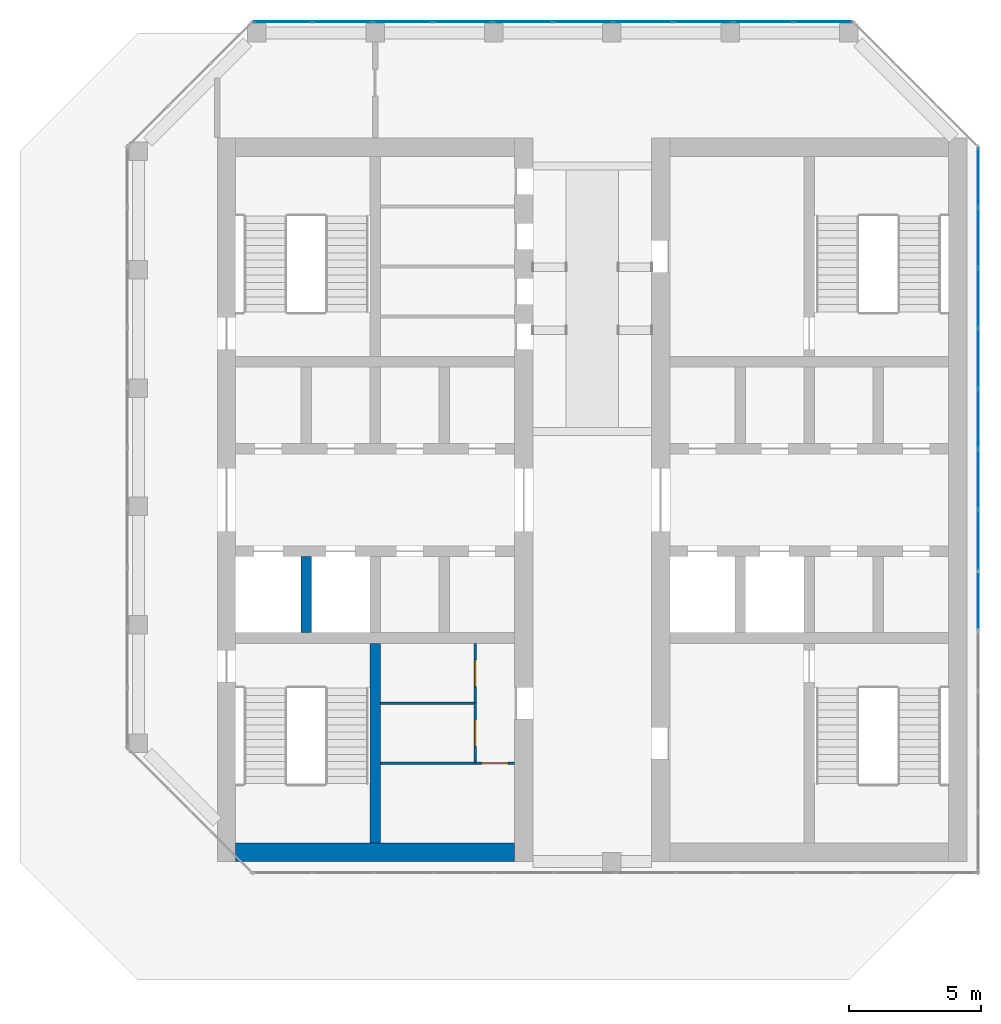
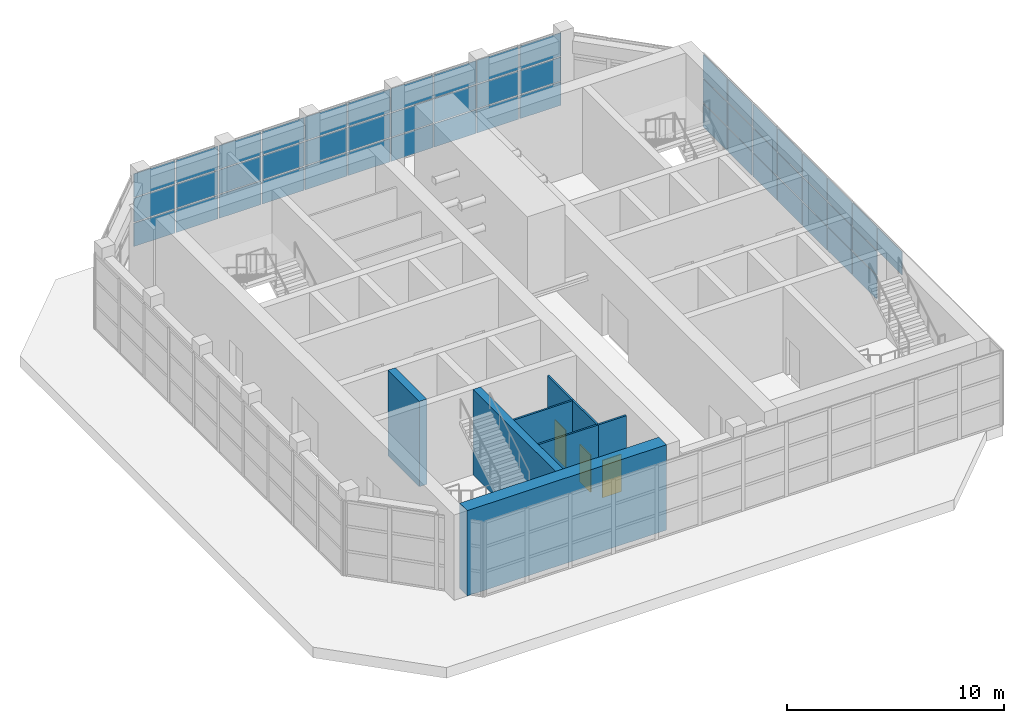
# One storey, part 9 of 13: 52 plates, 8 walls, 3 doors, 3 openings, 2 elements without a shape of their own.
"""IFC4 building model written with IfcOpenShell, lengths in metres."""

from ifc_helpers import new_model, si_unit, direction, frame, frame_2d, origin, origin_2d, place, context, subcontext, project, spatial, rectangle, extrude, material, layer, layer_set, type_object, element, fill, aggregate, save


model = new_model("IFC4")

# Units and contexts
model_context = context("Model", 3, precision=1e-05, world=origin(), true_north=direction((0.0, 1.0)))
body_context = subcontext(model_context, "Body", "Model", "MODEL_VIEW")
ifc_project = project(units=[si_unit("LENGTHUNIT", "METRE"), si_unit("AREAUNIT", "SQUARE_METRE"), si_unit("VOLUMEUNIT", "CUBIC_METRE"), si_unit("PLANEANGLEUNIT", "RADIAN"), si_unit("MASSUNIT", "GRAM", prefix="KILO")], contexts=[model_context])

# Site, building, storey
site_placement = place(None, origin())
site = spatial("IfcSite", under=ifc_project, at=site_placement, CompositionType="ELEMENT")
building_placement = place(site_placement, origin())
building = spatial("IfcBuilding", under=site, at=building_placement, Name="Corbel Stack Research Tower", CompositionType="ELEMENT")
storey_placement = place(building_placement, frame((0.0, 0.0, 311.800048828125)))
storey = spatial("IfcBuildingStorey", under=building, at=storey_placement, Name="L70", CompositionType="ELEMENT", Elevation=311.800048828125)

# Curtain wall, plates
ifc_material_1 = material(Name="Aluminium and glass", Category="aluminium")
curtain_wall_type = type_object("IfcCurtainWallType", Name="CW4C damper hall glazing wall, corner", PredefinedType="NOTDEFINED", material=ifc_material_1)
curtain_wall_1_placement = place(storey_placement, origin())
curtain_wall_1 = element("IfcCurtainWall", 1, at=curtain_wall_1_placement, inside=storey, type_object=curtain_wall_type, Name="Damper hall curtain wall L70 4", PredefinedType="NOTDEFINED")
ifc_material_2 = material(Name="Glass, laminated amber tint", Category="glass")
ifc_layer_1 = layer(ifc_material_2, 0.031982421875)
ifc_layer_set_1 = layer_set([ifc_layer_1], Name="Glass, laminated amber tint")
plate_type = type_object("IfcPlateType", Name="CW4 amber laminated glass panel 32", PredefinedType="CURTAIN_PANEL", material=ifc_layer_set_1)
plate_1_placement = place(storey_placement, frame((-8.0166015625, 22.919921875, 0.059814453125), z_axis=(0.0, 0.0, 1.0), x_axis=(1.0, 0.0, 0.0)))
plate_1 = element("IfcPlate", 2, at=plate_1_placement, type_object=plate_type, Name="CW4C panel 1.1", PredefinedType="CURTAIN_PANEL", context=body_context, shape_type="SweptSolid", body=[
    extrude(rectangle(XDim=2.19482421875, YDim=0.031982421875, at=origin_2d()), origin(), (0.0, 0.0, 1.0), 1.31005859375),
])
plate_2_placement = place(storey_placement, frame((-8.0166015625, 22.919921875, 1.4296875), z_axis=(0.0, 0.0, 1.0), x_axis=(1.0, 0.0, 0.0)))
plate_2 = element("IfcPlate", 3, at=plate_2_placement, type_object=plate_type, Name="CW4C panel 1.2", PredefinedType="CURTAIN_PANEL", context=body_context, shape_type="SweptSolid", body=[
    extrude(rectangle(XDim=2.19482421875, YDim=0.031982421875, at=origin_2d()), origin(), (0.0, 0.0, 1.0), 1.340087890625),
])
plate_3_placement = place(storey_placement, frame((-8.0166015625, 22.919921875, 2.829833984375), z_axis=(0.0, 0.0, 1.0), x_axis=(1.0, 0.0, 0.0)))
plate_3 = element("IfcPlate", 4, at=plate_3_placement, type_object=plate_type, Name="CW4C panel 1.3", PredefinedType="CURTAIN_PANEL", context=body_context, shape_type="SweptSolid", body=[
    extrude(rectangle(XDim=2.19482421875, YDim=0.031982421875, at=origin_2d()), origin(), (0.0, 0.0, 1.0), 1.31005859375),
])
plate_4_placement = place(storey_placement, frame((-5.746826171875, 22.919921875, 0.059814453125), z_axis=(0.0, 0.0, 1.0), x_axis=(1.0, 0.0, 0.0)))
plate_4 = element("IfcPlate", 5, at=plate_4_placement, type_object=plate_type, Name="CW4C panel 2.1", PredefinedType="CURTAIN_PANEL", context=body_context, shape_type="SweptSolid", body=[
    extrude(rectangle(XDim=2.224853515625, YDim=0.031982421875, at=origin_2d()), origin(), (0.0, 0.0, 1.0), 1.31005859375),
])
plate_5_placement = place(storey_placement, frame((-5.746826171875, 22.919921875, 1.4296875), z_axis=(0.0, 0.0, 1.0), x_axis=(1.0, 0.0, 0.0)))
plate_5 = element("IfcPlate", 6, at=plate_5_placement, type_object=plate_type, Name="CW4C panel 2.2", PredefinedType="CURTAIN_PANEL", context=body_context, shape_type="SweptSolid", body=[
    extrude(rectangle(XDim=2.224853515625, YDim=0.031982421875, at=origin_2d()), origin(), (0.0, 0.0, 1.0), 1.340087890625),
])
plate_6_placement = place(storey_placement, frame((-5.746826171875, 22.919921875, 2.829833984375), z_axis=(0.0, 0.0, 1.0), x_axis=(1.0, 0.0, 0.0)))
plate_6 = element("IfcPlate", 7, at=plate_6_placement, type_object=plate_type, Name="CW4C panel 2.3", PredefinedType="CURTAIN_PANEL", context=body_context, shape_type="SweptSolid", body=[
    extrude(rectangle(XDim=2.224853515625, YDim=0.031982421875, at=origin_2d()), origin(), (0.0, 0.0, 1.0), 1.31005859375),
])
plate_7_placement = place(storey_placement, frame((-3.4619140625, 22.919921875, 0.059814453125), z_axis=(0.0, 0.0, 1.0), x_axis=(1.0, 0.0, 0.0)))
plate_7 = element("IfcPlate", 8, at=plate_7_placement, type_object=plate_type, Name="CW4C panel 3.1", PredefinedType="CURTAIN_PANEL", context=body_context, shape_type="SweptSolid", body=[
    extrude(rectangle(XDim=2.224853515625, YDim=0.031982421875, at=origin_2d()), origin(), (0.0, 0.0, 1.0), 1.31005859375),
])
plate_8_placement = place(storey_placement, frame((-3.4619140625, 22.919921875, 1.4296875), z_axis=(0.0, 0.0, 1.0), x_axis=(1.0, 0.0, 0.0)))
plate_8 = element("IfcPlate", 9, at=plate_8_placement, type_object=plate_type, Name="CW4C panel 3.2", PredefinedType="CURTAIN_PANEL", context=body_context, shape_type="SweptSolid", body=[
    extrude(rectangle(XDim=2.224853515625, YDim=0.031982421875, at=origin_2d()), origin(), (0.0, 0.0, 1.0), 1.340087890625),
])
plate_9_placement = place(storey_placement, frame((-3.4619140625, 22.919921875, 2.829833984375), z_axis=(0.0, 0.0, 1.0), x_axis=(1.0, 0.0, 0.0)))
plate_9 = element("IfcPlate", 10, at=plate_9_placement, type_object=plate_type, Name="CW4C panel 3.3", PredefinedType="CURTAIN_PANEL", context=body_context, shape_type="SweptSolid", body=[
    extrude(rectangle(XDim=2.224853515625, YDim=0.031982421875, at=origin_2d()), origin(), (0.0, 0.0, 1.0), 1.31005859375),
])
plate_10_placement = place(storey_placement, frame((-1.17724609375, 22.919921875, 0.059814453125), z_axis=(0.0, 0.0, 1.0), x_axis=(1.0, 0.0, 0.0)))
plate_10 = element("IfcPlate", 11, at=plate_10_placement, type_object=plate_type, Name="CW4C panel 4.1", PredefinedType="CURTAIN_PANEL", context=body_context, shape_type="SweptSolid", body=[
    extrude(rectangle(XDim=2.224853515625, YDim=0.031982421875, at=origin_2d()), origin(), (0.0, 0.0, 1.0), 1.31005859375),
])
plate_11_placement = place(storey_placement, frame((-1.17724609375, 22.919921875, 1.4296875), z_axis=(0.0, 0.0, 1.0), x_axis=(1.0, 0.0, 0.0)))
plate_11 = element("IfcPlate", 12, at=plate_11_placement, type_object=plate_type, Name="CW4C panel 4.2", PredefinedType="CURTAIN_PANEL", context=body_context, shape_type="SweptSolid", body=[
    extrude(rectangle(XDim=2.224853515625, YDim=0.031982421875, at=origin_2d()), origin(), (0.0, 0.0, 1.0), 1.340087890625),
])
plate_12_placement = place(storey_placement, frame((-1.17724609375, 22.919921875, 2.829833984375), z_axis=(0.0, 0.0, 1.0), x_axis=(1.0, 0.0, 0.0)))
plate_12 = element("IfcPlate", 13, at=plate_12_placement, type_object=plate_type, Name="CW4C panel 4.3", PredefinedType="CURTAIN_PANEL", context=body_context, shape_type="SweptSolid", body=[
    extrude(rectangle(XDim=2.224853515625, YDim=0.031982421875, at=origin_2d()), origin(), (0.0, 0.0, 1.0), 1.31005859375),
])
plate_13_placement = place(storey_placement, frame((1.107666015625, 22.919921875, 0.059814453125), z_axis=(0.0, 0.0, 1.0), x_axis=(1.0, 0.0, 0.0)))
plate_13 = element("IfcPlate", 14, at=plate_13_placement, type_object=plate_type, Name="CW4C panel 5.1", PredefinedType="CURTAIN_PANEL", context=body_context, shape_type="SweptSolid", body=[
    extrude(rectangle(XDim=2.224853515625, YDim=0.031982421875, at=origin_2d()), origin(), (0.0, 0.0, 1.0), 1.31005859375),
])
plate_14_placement = place(storey_placement, frame((1.107666015625, 22.919921875, 1.4296875), z_axis=(0.0, 0.0, 1.0), x_axis=(1.0, 0.0, 0.0)))
plate_14 = element("IfcPlate", 15, at=plate_14_placement, type_object=plate_type, Name="CW4C panel 5.2", PredefinedType="CURTAIN_PANEL", context=body_context, shape_type="SweptSolid", body=[
    extrude(rectangle(XDim=2.224853515625, YDim=0.031982421875, at=origin_2d()), origin(), (0.0, 0.0, 1.0), 1.340087890625),
])
plate_15_placement = place(storey_placement, frame((1.107666015625, 22.919921875, 2.829833984375), z_axis=(0.0, 0.0, 1.0), x_axis=(1.0, 0.0, 0.0)))
plate_15 = element("IfcPlate", 16, at=plate_15_placement, type_object=plate_type, Name="CW4C panel 5.3", PredefinedType="CURTAIN_PANEL", context=body_context, shape_type="SweptSolid", body=[
    extrude(rectangle(XDim=2.224853515625, YDim=0.031982421875, at=origin_2d()), origin(), (0.0, 0.0, 1.0), 1.31005859375),
])
plate_16_placement = place(storey_placement, frame((3.392333984375, 22.919921875, 0.059814453125), z_axis=(0.0, 0.0, 1.0), x_axis=(1.0, 0.0, 0.0)))
plate_16 = element("IfcPlate", 17, at=plate_16_placement, type_object=plate_type, Name="CW4C panel 6.1", PredefinedType="CURTAIN_PANEL", context=body_context, shape_type="SweptSolid", body=[
    extrude(rectangle(XDim=2.224853515625, YDim=0.031982421875, at=origin_2d()), origin(), (0.0, 0.0, 1.0), 1.31005859375),
])
plate_17_placement = place(storey_placement, frame((3.392333984375, 22.919921875, 1.4296875), z_axis=(0.0, 0.0, 1.0), x_axis=(1.0, 0.0, 0.0)))
plate_17 = element("IfcPlate", 18, at=plate_17_placement, type_object=plate_type, Name="CW4C panel 6.2", PredefinedType="CURTAIN_PANEL", context=body_context, shape_type="SweptSolid", body=[
    extrude(rectangle(XDim=2.224853515625, YDim=0.031982421875, at=origin_2d()), origin(), (0.0, 0.0, 1.0), 1.340087890625),
])
plate_18_placement = place(storey_placement, frame((3.392333984375, 22.919921875, 2.829833984375), z_axis=(0.0, 0.0, 1.0), x_axis=(1.0, 0.0, 0.0)))
plate_18 = element("IfcPlate", 19, at=plate_18_placement, type_object=plate_type, Name="CW4C panel 6.3", PredefinedType="CURTAIN_PANEL", context=body_context, shape_type="SweptSolid", body=[
    extrude(rectangle(XDim=2.224853515625, YDim=0.031982421875, at=origin_2d()), origin(), (0.0, 0.0, 1.0), 1.31005859375),
])
plate_19_placement = place(storey_placement, frame((5.67724609375, 22.919921875, 0.059814453125), z_axis=(0.0, 0.0, 1.0), x_axis=(1.0, 0.0, 0.0)))
plate_19 = element("IfcPlate", 20, at=plate_19_placement, type_object=plate_type, Name="CW4C panel 7.1", PredefinedType="CURTAIN_PANEL", context=body_context, shape_type="SweptSolid", body=[
    extrude(rectangle(XDim=2.224853515625, YDim=0.031982421875, at=origin_2d()), origin(), (0.0, 0.0, 1.0), 1.31005859375),
])
plate_20_placement = place(storey_placement, frame((5.67724609375, 22.919921875, 1.4296875), z_axis=(0.0, 0.0, 1.0), x_axis=(1.0, 0.0, 0.0)))
plate_20 = element("IfcPlate", 21, at=plate_20_placement, type_object=plate_type, Name="CW4C panel 7.2", PredefinedType="CURTAIN_PANEL", context=body_context, shape_type="SweptSolid", body=[
    extrude(rectangle(XDim=2.224853515625, YDim=0.031982421875, at=origin_2d()), origin(), (0.0, 0.0, 1.0), 1.340087890625),
])
plate_21_placement = place(storey_placement, frame((5.67724609375, 22.919921875, 2.829833984375), z_axis=(0.0, 0.0, 1.0), x_axis=(1.0, 0.0, 0.0)))
plate_21 = element("IfcPlate", 22, at=plate_21_placement, type_object=plate_type, Name="CW4C panel 7.3", PredefinedType="CURTAIN_PANEL", context=body_context, shape_type="SweptSolid", body=[
    extrude(rectangle(XDim=2.224853515625, YDim=0.031982421875, at=origin_2d()), origin(), (0.0, 0.0, 1.0), 1.31005859375),
])
plate_22_placement = place(storey_placement, frame((7.9619140625, 22.919921875, 0.059814453125), z_axis=(0.0, 0.0, 1.0), x_axis=(1.0, 0.0, 0.0)))
plate_22 = element("IfcPlate", 23, at=plate_22_placement, type_object=plate_type, Name="CW4C panel 8.1", PredefinedType="CURTAIN_PANEL", context=body_context, shape_type="SweptSolid", body=[
    extrude(rectangle(XDim=2.224853515625, YDim=0.031982421875, at=origin_2d()), origin(), (0.0, 0.0, 1.0), 1.31005859375),
])
plate_23_placement = place(storey_placement, frame((7.9619140625, 22.919921875, 1.4296875), z_axis=(0.0, 0.0, 1.0), x_axis=(1.0, 0.0, 0.0)))
plate_23 = element("IfcPlate", 24, at=plate_23_placement, type_object=plate_type, Name="CW4C panel 8.2", PredefinedType="CURTAIN_PANEL", context=body_context, shape_type="SweptSolid", body=[
    extrude(rectangle(XDim=2.224853515625, YDim=0.031982421875, at=origin_2d()), origin(), (0.0, 0.0, 1.0), 1.340087890625),
])
plate_24_placement = place(storey_placement, frame((7.9619140625, 22.919921875, 2.829833984375), z_axis=(0.0, 0.0, 1.0), x_axis=(1.0, 0.0, 0.0)))
plate_24 = element("IfcPlate", 25, at=plate_24_placement, type_object=plate_type, Name="CW4C panel 8.3", PredefinedType="CURTAIN_PANEL", context=body_context, shape_type="SweptSolid", body=[
    extrude(rectangle(XDim=2.224853515625, YDim=0.031982421875, at=origin_2d()), origin(), (0.0, 0.0, 1.0), 1.31005859375),
])
plate_25_placement = place(storey_placement, frame((10.246826171875, 22.919921875, 0.059814453125), z_axis=(0.0, 0.0, 1.0), x_axis=(1.0, 0.0, 0.0)))
plate_25 = element("IfcPlate", 26, at=plate_25_placement, type_object=plate_type, Name="CW4C panel 9.1", PredefinedType="CURTAIN_PANEL", context=body_context, shape_type="SweptSolid", body=[
    extrude(rectangle(XDim=2.224853515625, YDim=0.031982421875, at=origin_2d()), origin(), (0.0, 0.0, 1.0), 1.31005859375),
])
plate_26_placement = place(storey_placement, frame((10.246826171875, 22.919921875, 1.4296875), z_axis=(0.0, 0.0, 1.0), x_axis=(1.0, 0.0, 0.0)))
plate_26 = element("IfcPlate", 27, at=plate_26_placement, type_object=plate_type, Name="CW4C panel 9.2", PredefinedType="CURTAIN_PANEL", context=body_context, shape_type="SweptSolid", body=[
    extrude(rectangle(XDim=2.224853515625, YDim=0.031982421875, at=origin_2d()), origin(), (0.0, 0.0, 1.0), 1.340087890625),
])
plate_27_placement = place(storey_placement, frame((10.246826171875, 22.919921875, 2.829833984375), z_axis=(0.0, 0.0, 1.0), x_axis=(1.0, 0.0, 0.0)))
plate_27 = element("IfcPlate", 28, at=plate_27_placement, type_object=plate_type, Name="CW4C panel 9.3", PredefinedType="CURTAIN_PANEL", context=body_context, shape_type="SweptSolid", body=[
    extrude(rectangle(XDim=2.224853515625, YDim=0.031982421875, at=origin_2d()), origin(), (0.0, 0.0, 1.0), 1.31005859375),
])
plate_28_placement = place(storey_placement, frame((12.5166015625, 22.919921875, 0.059814453125), z_axis=(0.0, 0.0, 1.0), x_axis=(1.0, 0.0, 0.0)))
plate_28 = element("IfcPlate", 29, at=plate_28_placement, type_object=plate_type, Name="CW4C panel 10.1", PredefinedType="CURTAIN_PANEL", context=body_context, shape_type="SweptSolid", body=[
    extrude(rectangle(XDim=2.19482421875, YDim=0.031982421875, at=origin_2d()), origin(), (0.0, 0.0, 1.0), 1.31005859375),
])
plate_29_placement = place(storey_placement, frame((12.5166015625, 22.919921875, 1.4296875), z_axis=(0.0, 0.0, 1.0), x_axis=(1.0, 0.0, 0.0)))
plate_29 = element("IfcPlate", 30, at=plate_29_placement, type_object=plate_type, Name="CW4C panel 10.2", PredefinedType="CURTAIN_PANEL", context=body_context, shape_type="SweptSolid", body=[
    extrude(rectangle(XDim=2.19482421875, YDim=0.031982421875, at=origin_2d()), origin(), (0.0, 0.0, 1.0), 1.340087890625),
])
plate_30_placement = place(storey_placement, frame((12.5166015625, 22.919921875, 2.829833984375), z_axis=(0.0, 0.0, 1.0), x_axis=(1.0, 0.0, 0.0)))
plate_30 = element("IfcPlate", 31, at=plate_30_placement, type_object=plate_type, Name="CW4C panel 10.3", PredefinedType="CURTAIN_PANEL", context=body_context, shape_type="SweptSolid", body=[
    extrude(rectangle(XDim=2.19482421875, YDim=0.031982421875, at=origin_2d()), origin(), (0.0, 0.0, 1.0), 1.31005859375),
])
aggregate(curtain_wall_1, [plate_1, plate_2, plate_3, plate_4, plate_5, plate_6, plate_7, plate_8, plate_9, plate_10, plate_11, plate_12, plate_13, plate_14, plate_15, plate_16, plate_17, plate_18, plate_19, plate_20, plate_21, plate_22, plate_23, plate_24, plate_25, plate_26, plate_27, plate_28, plate_29, plate_30])

curtain_wall_2_placement = place(storey_placement, origin())
curtain_wall_2 = element("IfcCurtainWall", 32, at=curtain_wall_2_placement, inside=storey, type_object=curtain_wall_type, Name="Damper hall curtain wall L70 6", PredefinedType="NOTDEFINED")
plate_31_placement = place(storey_placement, frame((18.419921875, 17.00927734375, 0.059814453125), z_axis=(0.0, 0.0, 1.0), x_axis=(0.0, -1.0, 0.0)))
plate_31 = element("IfcPlate", 33, at=plate_31_placement, type_object=plate_type, Name="CW4C panel 1.1", PredefinedType="CURTAIN_PANEL", context=body_context, shape_type="SweptSolid", body=[
    extrude(rectangle(XDim=2.20947265625, YDim=0.031982421875, at=origin_2d()), origin(), (0.0, 0.0, 1.0), 1.31005859375),
])
plate_32_placement = place(storey_placement, frame((18.419921875, 17.00927734375, 1.4296875), z_axis=(0.0, 0.0, 1.0), x_axis=(0.0, -1.0, 0.0)))
plate_32 = element("IfcPlate", 34, at=plate_32_placement, type_object=plate_type, Name="CW4C panel 1.2", PredefinedType="CURTAIN_PANEL", context=body_context, shape_type="SweptSolid", body=[
    extrude(rectangle(XDim=2.20947265625, YDim=0.031982421875, at=origin_2d()), origin(), (0.0, 0.0, 1.0), 1.340087890625),
])
plate_33_placement = place(storey_placement, frame((18.419921875, 17.00927734375, 2.829833984375), z_axis=(0.0, 0.0, 1.0), x_axis=(0.0, -1.0, 0.0)))
plate_33 = element("IfcPlate", 35, at=plate_33_placement, type_object=plate_type, Name="CW4C panel 1.3", PredefinedType="CURTAIN_PANEL", context=body_context, shape_type="SweptSolid", body=[
    extrude(rectangle(XDim=2.20947265625, YDim=0.031982421875, at=origin_2d()), origin(), (0.0, 0.0, 1.0), 1.31005859375),
])
plate_34_placement = place(storey_placement, frame((18.419921875, 14.724853515625, 0.059814453125), z_axis=(0.0, 0.0, 1.0), x_axis=(0.0, -1.0, 0.0)))
plate_34 = element("IfcPlate", 36, at=plate_34_placement, type_object=plate_type, Name="CW4C panel 2.1", PredefinedType="CURTAIN_PANEL", context=body_context, shape_type="SweptSolid", body=[
    extrude(rectangle(XDim=2.239501953125, YDim=0.031982421875, at=origin_2d()), origin(), (0.0, 0.0, 1.0), 1.31005859375),
])
plate_35_placement = place(storey_placement, frame((18.419921875, 14.724853515625, 1.4296875), z_axis=(0.0, 0.0, 1.0), x_axis=(0.0, -1.0, 0.0)))
plate_35 = element("IfcPlate", 37, at=plate_35_placement, type_object=plate_type, Name="CW4C panel 2.2", PredefinedType="CURTAIN_PANEL", context=body_context, shape_type="SweptSolid", body=[
    extrude(rectangle(XDim=2.239501953125, YDim=0.031982421875, at=origin_2d()), origin(), (0.0, 0.0, 1.0), 1.340087890625),
])
plate_36_placement = place(storey_placement, frame((18.419921875, 14.724853515625, 2.829833984375), z_axis=(0.0, 0.0, 1.0), x_axis=(0.0, -1.0, 0.0)))
plate_36 = element("IfcPlate", 38, at=plate_36_placement, type_object=plate_type, Name="CW4C panel 2.3", PredefinedType="CURTAIN_PANEL", context=body_context, shape_type="SweptSolid", body=[
    extrude(rectangle(XDim=2.239501953125, YDim=0.031982421875, at=origin_2d()), origin(), (0.0, 0.0, 1.0), 1.31005859375),
])
plate_37_placement = place(storey_placement, frame((18.419921875, 12.42529296875, 0.059814453125), z_axis=(0.0, 0.0, 1.0), x_axis=(0.0, -1.0, 0.0)))
plate_37 = element("IfcPlate", 39, at=plate_37_placement, type_object=plate_type, Name="CW4C panel 3.1", PredefinedType="CURTAIN_PANEL", context=body_context, shape_type="SweptSolid", body=[
    extrude(rectangle(XDim=2.239501953125, YDim=0.031982421875, at=origin_2d()), origin(), (0.0, 0.0, 1.0), 1.31005859375),
])
plate_38_placement = place(storey_placement, frame((18.419921875, 12.42529296875, 1.4296875), z_axis=(0.0, 0.0, 1.0), x_axis=(0.0, -1.0, 0.0)))
plate_38 = element("IfcPlate", 40, at=plate_38_placement, type_object=plate_type, Name="CW4C panel 3.2", PredefinedType="CURTAIN_PANEL", context=body_context, shape_type="SweptSolid", body=[
    extrude(rectangle(XDim=2.239501953125, YDim=0.031982421875, at=origin_2d()), origin(), (0.0, 0.0, 1.0), 1.340087890625),
])
plate_39_placement = place(storey_placement, frame((18.419921875, 12.42529296875, 2.829833984375), z_axis=(0.0, 0.0, 1.0), x_axis=(0.0, -1.0, 0.0)))
plate_39 = element("IfcPlate", 41, at=plate_39_placement, type_object=plate_type, Name="CW4C panel 3.3", PredefinedType="CURTAIN_PANEL", context=body_context, shape_type="SweptSolid", body=[
    extrude(rectangle(XDim=2.239501953125, YDim=0.031982421875, at=origin_2d()), origin(), (0.0, 0.0, 1.0), 1.31005859375),
])
plate_40_placement = place(storey_placement, frame((18.419921875, 10.125732421875, 0.059814453125), z_axis=(0.0, 0.0, 1.0), x_axis=(0.0, -1.0, 0.0)))
plate_40 = element("IfcPlate", 42, at=plate_40_placement, type_object=plate_type, Name="CW4C panel 4.1", PredefinedType="CURTAIN_PANEL", context=body_context, shape_type="SweptSolid", body=[
    extrude(rectangle(XDim=2.239501953125, YDim=0.031982421875, at=origin_2d()), origin(), (0.0, 0.0, 1.0), 1.31005859375),
])
plate_41_placement = place(storey_placement, frame((18.419921875, 10.125732421875, 1.4296875), z_axis=(0.0, 0.0, 1.0), x_axis=(0.0, -1.0, 0.0)))
plate_41 = element("IfcPlate", 43, at=plate_41_placement, type_object=plate_type, Name="CW4C panel 4.2", PredefinedType="CURTAIN_PANEL", context=body_context, shape_type="SweptSolid", body=[
    extrude(rectangle(XDim=2.239501953125, YDim=0.031982421875, at=origin_2d()), origin(), (0.0, 0.0, 1.0), 1.340087890625),
])
plate_42_placement = place(storey_placement, frame((18.419921875, 10.125732421875, 2.829833984375), z_axis=(0.0, 0.0, 1.0), x_axis=(0.0, -1.0, 0.0)))
plate_42 = element("IfcPlate", 44, at=plate_42_placement, type_object=plate_type, Name="CW4C panel 4.3", PredefinedType="CURTAIN_PANEL", context=body_context, shape_type="SweptSolid", body=[
    extrude(rectangle(XDim=2.239501953125, YDim=0.031982421875, at=origin_2d()), origin(), (0.0, 0.0, 1.0), 1.31005859375),
])
plate_43_placement = place(storey_placement, frame((18.419921875, 7.826171875, 0.059814453125), z_axis=(0.0, 0.0, 1.0), x_axis=(0.0, -1.0, 0.0)))
plate_43 = element("IfcPlate", 45, at=plate_43_placement, type_object=plate_type, Name="CW4C panel 5.1", PredefinedType="CURTAIN_PANEL", context=body_context, shape_type="SweptSolid", body=[
    extrude(rectangle(XDim=2.239501953125, YDim=0.031982421875, at=origin_2d()), origin(), (0.0, 0.0, 1.0), 1.31005859375),
])
plate_44_placement = place(storey_placement, frame((18.419921875, 7.826171875, 1.4296875), z_axis=(0.0, 0.0, 1.0), x_axis=(0.0, -1.0, 0.0)))
plate_44 = element("IfcPlate", 46, at=plate_44_placement, type_object=plate_type, Name="CW4C panel 5.2", PredefinedType="CURTAIN_PANEL", context=body_context, shape_type="SweptSolid", body=[
    extrude(rectangle(XDim=2.239501953125, YDim=0.031982421875, at=origin_2d()), origin(), (0.0, 0.0, 1.0), 1.340087890625),
])
plate_45_placement = place(storey_placement, frame((18.419921875, 7.826171875, 2.829833984375), z_axis=(0.0, 0.0, 1.0), x_axis=(0.0, -1.0, 0.0)))
plate_45 = element("IfcPlate", 47, at=plate_45_placement, type_object=plate_type, Name="CW4C panel 5.3", PredefinedType="CURTAIN_PANEL", context=body_context, shape_type="SweptSolid", body=[
    extrude(rectangle(XDim=2.239501953125, YDim=0.031982421875, at=origin_2d()), origin(), (0.0, 0.0, 1.0), 1.31005859375),
])
plate_46_placement = place(storey_placement, frame((18.419921875, 5.52685546875, 0.059814453125), z_axis=(0.0, 0.0, 1.0), x_axis=(0.0, -1.0, 0.0)))
plate_46 = element("IfcPlate", 48, at=plate_46_placement, type_object=plate_type, Name="CW4C panel 6.1", PredefinedType="CURTAIN_PANEL", context=body_context, shape_type="SweptSolid", body=[
    extrude(rectangle(XDim=2.239501953125, YDim=0.031982421875, at=origin_2d()), origin(), (0.0, 0.0, 1.0), 1.31005859375),
])
plate_47_placement = place(storey_placement, frame((18.419921875, 5.52685546875, 1.4296875), z_axis=(0.0, 0.0, 1.0), x_axis=(0.0, -1.0, 0.0)))
plate_47 = element("IfcPlate", 49, at=plate_47_placement, type_object=plate_type, Name="CW4C panel 6.2", PredefinedType="CURTAIN_PANEL", context=body_context, shape_type="SweptSolid", body=[
    extrude(rectangle(XDim=2.239501953125, YDim=0.031982421875, at=origin_2d()), origin(), (0.0, 0.0, 1.0), 1.340087890625),
])
plate_48_placement = place(storey_placement, frame((18.419921875, 5.52685546875, 2.829833984375), z_axis=(0.0, 0.0, 1.0), x_axis=(0.0, -1.0, 0.0)))
plate_48 = element("IfcPlate", 50, at=plate_48_placement, type_object=plate_type, Name="CW4C panel 6.3", PredefinedType="CURTAIN_PANEL", context=body_context, shape_type="SweptSolid", body=[
    extrude(rectangle(XDim=2.239501953125, YDim=0.031982421875, at=origin_2d()), origin(), (0.0, 0.0, 1.0), 1.31005859375),
])
plate_49_placement = place(storey_placement, frame((18.419921875, 3.227294921875, 0.059814453125), z_axis=(0.0, 0.0, 1.0), x_axis=(0.0, -1.0, 0.0)))
plate_49 = element("IfcPlate", 51, at=plate_49_placement, type_object=plate_type, Name="CW4C panel 7.1", PredefinedType="CURTAIN_PANEL", context=body_context, shape_type="SweptSolid", body=[
    extrude(rectangle(XDim=2.239501953125, YDim=0.031982421875, at=origin_2d()), origin(), (0.0, 0.0, 1.0), 1.31005859375),
])
plate_50_placement = place(storey_placement, frame((18.419921875, 3.227294921875, 1.4296875), z_axis=(0.0, 0.0, 1.0), x_axis=(0.0, -1.0, 0.0)))
plate_50 = element("IfcPlate", 52, at=plate_50_placement, type_object=plate_type, Name="CW4C panel 7.2", PredefinedType="CURTAIN_PANEL", context=body_context, shape_type="SweptSolid", body=[
    extrude(rectangle(XDim=2.239501953125, YDim=0.031982421875, at=origin_2d()), origin(), (0.0, 0.0, 1.0), 1.340087890625),
])
plate_51_placement = place(storey_placement, frame((18.419921875, 3.227294921875, 2.829833984375), z_axis=(0.0, 0.0, 1.0), x_axis=(0.0, -1.0, 0.0)))
plate_51 = element("IfcPlate", 53, at=plate_51_placement, type_object=plate_type, Name="CW4C panel 7.3", PredefinedType="CURTAIN_PANEL", context=body_context, shape_type="SweptSolid", body=[
    extrude(rectangle(XDim=2.239501953125, YDim=0.031982421875, at=origin_2d()), origin(), (0.0, 0.0, 1.0), 1.31005859375),
])
plate_52_placement = place(storey_placement, frame((18.419921875, 0.927734375, 2.829833984375), z_axis=(0.0, 0.0, 1.0), x_axis=(0.0, -1.0, 0.0)))
plate_52 = element("IfcPlate", 54, at=plate_52_placement, type_object=plate_type, Name="CW4C panel 8.3", PredefinedType="CURTAIN_PANEL", context=body_context, shape_type="SweptSolid", body=[
    extrude(rectangle(XDim=2.239501953125, YDim=0.031982421875, at=origin_2d()), origin(), (0.0, 0.0, 1.0), 1.31005859375),
])
aggregate(curtain_wall_2, [plate_31, plate_32, plate_33, plate_34, plate_35, plate_36, plate_37, plate_38, plate_39, plate_40, plate_41, plate_42, plate_43, plate_44, plate_45, plate_46, plate_47, plate_48, plate_49, plate_50, plate_51, plate_52])

# Walls
ifc_material_3 = material(Name="Concrete C60/75", Category="concrete")
ifc_layer_2 = layer(ifc_material_3, 0.39990234375)
ifc_layer_set_2 = layer_set([ifc_layer_2], Name="Concrete C60/75")
wall_type_1 = type_object("IfcWallType", Name="CW-400-60", PredefinedType="SHEAR", material=ifc_layer_set_2)
wall_1_placement = place(storey_placement, frame((-7.125, -0.300048828125, 0.0), z_axis=(0.0, 0.0, 1.0), x_axis=(0.0, 1.0, 0.0)))
element("IfcWall", 55, at=wall_1_placement, inside=storey, type_object=wall_type_1, Name="West core wall, south shaft 1 L70", PredefinedType="SHEAR", context=body_context, shape_type="SweptSolid", body=[
    extrude(rectangle(XDim=2.900146484375, YDim=0.39990234375, at=frame_2d((1.4501953125, 0.0))), origin(), (0.0, 0.0, 1.0), 4.800048828125),
])
wall_2_placement = place(storey_placement, frame((-4.5, -8.300048828125, 0.0), z_axis=(0.0, 0.0, 1.0), x_axis=(0.0, 1.0, 0.0)))
element("IfcWall", 56, at=wall_2_placement, inside=storey, type_object=wall_type_1, Name="West core wall, south stair and WC L70", PredefinedType="SHEAR", context=body_context, shape_type="SweptSolid", body=[
    extrude(rectangle(XDim=7.60009765625, YDim=0.39990234375, at=frame_2d((3.800048828125, 0.0))), origin(), (0.0, 0.0, 1.0), 4.800048828125),
])
ifc_material_4 = material(Name="Concrete C60/75", Category="concrete")
ifc_layer_3 = layer(ifc_material_4, 0.699951171875)
ifc_layer_set_3 = layer_set([ifc_layer_3], Name="Concrete C60/75")
wall_type_2 = type_object("IfcWallType", Name="CW-700-60", PredefinedType="SHEAR", material=ifc_layer_set_3)
wall_3_placement = place(storey_placement, frame((-9.800048828125, -8.64990234375, 0.0), z_axis=(0.0, 0.0, 1.0), x_axis=(1.0, 0.0, 0.0)))
element("IfcWall", 57, at=wall_3_placement, inside=storey, type_object=wall_type_2, Name="West core wall, south end L70", PredefinedType="SHEAR", context=body_context, shape_type="SweptSolid", body=[
    extrude(rectangle(XDim=10.60009765625, YDim=0.699951171875, at=frame_2d((5.300048828125, 0.0))), origin(), (0.0, 0.0, 1.0), 4.800048828125),
])

# Wall, opening, door
ifc_material_5 = material(Name="Gypsum board")
ifc_layer_4 = layer(ifc_material_5, 0.10009765625)
ifc_layer_set_4 = layer_set([ifc_layer_4], Name="Gypsum board")
wall_type_3 = type_object("IfcWallType", Name="Core partition 100", PredefinedType="PARTITIONING", material=ifc_layer_set_4)
wall_4_placement = place(storey_placement, frame((-0.699951171875, -5.260009765625, 0.0), z_axis=(0.0, 0.0, 1.0), x_axis=(1.0, 0.0, 0.0)))
wall_4 = element("IfcWall", 58, at=wall_4_placement, inside=storey, type_object=wall_type_3, Name="Core partition W", PredefinedType="PARTITIONING", context=body_context, shape_type="SweptSolid", body=[
    extrude(rectangle(XDim=1.5, YDim=0.10009765625, at=frame_2d((0.75, 0.0))), origin(), (0.0, 0.0, 1.0), 4.199951171875),
])
opening_1_placement = place(wall_4_placement, frame((0.25, 0.0, 0.0)))
opening_1 = element("IfcOpeningElement", 59, at=opening_1_placement, cuts=wall_4, Name="Opening CR-W66-W2-1000", PredefinedType="OPENING", context=body_context, shape_type="SweptSolid", body=[
    extrude(rectangle(XDim=1.0, YDim=2.10009765625, at=frame_2d((0.5, 1.050048828125))), frame((0.0, 0.06005859375, 0.0), z_axis=(0.0, -1.0, 0.0), x_axis=(1.0, 0.0, 0.0)), (0.0, 0.0, 1.0), 0.1201171875),
])
ifc_material_6 = material(Name="Painted timber door", Category="wood")
door_type_1 = type_object("IfcDoorType", Name="WC door 1000 x 2100 right hand", OperationType="SINGLE_SWING_RIGHT", PredefinedType="DOOR", material=ifc_material_6)
door_1_placement = place(opening_1_placement, origin())
door_1 = element("IfcDoor", 60, at=door_1_placement, inside=storey, type_object=door_type_1, Name="Accessible WC door W core", OperationType="SINGLE_SWING_RIGHT", OverallHeight=2.10009765625, OverallWidth=1.0, PredefinedType="DOOR", context=body_context, shape_type="SweptSolid", body=[
    extrude(rectangle(XDim=1.0, YDim=2.10009765625, at=frame_2d((0.5, 1.050048828125))), frame((0.0, 0.02490234375, 0.0), z_axis=(0.0, -1.0, 0.0), x_axis=(1.0, 0.0, 0.0)), (0.0, 0.0, 1.0), 0.050048828125),
])
fill(opening_1, door_1)

wall_5_placement = place(storey_placement, frame((-0.699951171875, -5.260009765625, 0.0), z_axis=(0.0, 0.0, 1.0), x_axis=(0.0, 1.0, 0.0)))
wall_5 = element("IfcWall", 61, at=wall_5_placement, inside=storey, type_object=wall_type_3, Name="Core partition W", PredefinedType="PARTITIONING", context=body_context, shape_type="SweptSolid", body=[
    extrude(rectangle(XDim=2.280029296875, YDim=0.10009765625, at=frame_2d((1.14013671875, 0.0))), origin(), (0.0, 0.0, 1.0), 4.199951171875),
])
opening_2_placement = place(wall_5_placement, frame((0.639892578125, 0.0, 0.0)))
opening_2 = element("IfcOpeningElement", 62, at=opening_2_placement, cuts=wall_5, Name="Opening CR-W66-W3-1000", PredefinedType="OPENING", context=body_context, shape_type="SweptSolid", body=[
    extrude(rectangle(XDim=1.0, YDim=2.10009765625, at=frame_2d((0.5, 1.050048828125))), frame((0.0, 0.06005859375, 0.0), z_axis=(0.0, -1.0, 0.0), x_axis=(1.0, 0.0, 0.0)), (0.0, 0.0, 1.0), 0.1201171875),
])
ifc_material_7 = material(Name="Painted timber door", Category="wood")
door_type_2 = type_object("IfcDoorType", Name="WC door 1000 x 2100 left hand", OperationType="SINGLE_SWING_LEFT", PredefinedType="DOOR", material=ifc_material_7)
door_2_placement = place(opening_2_placement, origin())
door_2 = element("IfcDoor", 63, at=door_2_placement, inside=storey, type_object=door_type_2, Name="Men's WC door W core", OperationType="SINGLE_SWING_LEFT", OverallHeight=2.10009765625, OverallWidth=1.0, PredefinedType="DOOR", context=body_context, shape_type="SweptSolid", body=[
    extrude(rectangle(XDim=1.0, YDim=2.10009765625, at=frame_2d((0.5, 1.050048828125))), frame((0.0, 0.02490234375, 0.0), z_axis=(0.0, -1.0, 0.0), x_axis=(1.0, 0.0, 0.0)), (0.0, 0.0, 1.0), 0.050048828125),
])
fill(opening_2, door_2)

wall_6_placement = place(storey_placement, frame((-0.699951171875, -2.97998046875, 0.0), z_axis=(0.0, 0.0, 1.0), x_axis=(0.0, 1.0, 0.0)))
wall_6 = element("IfcWall", 64, at=wall_6_placement, inside=storey, type_object=wall_type_3, Name="Core partition W", PredefinedType="PARTITIONING", context=body_context, shape_type="SweptSolid", body=[
    extrude(rectangle(XDim=2.280029296875, YDim=0.10009765625, at=frame_2d((1.14013671875, 0.0))), origin(), (0.0, 0.0, 1.0), 4.199951171875),
])
opening_3_placement = place(wall_6_placement, frame((0.639892578125, 0.0, 0.0)))
opening_3 = element("IfcOpeningElement", 65, at=opening_3_placement, cuts=wall_6, Name="Opening CR-W66-W4-1000", PredefinedType="OPENING", context=body_context, shape_type="SweptSolid", body=[
    extrude(rectangle(XDim=1.0, YDim=2.10009765625, at=frame_2d((0.5, 1.050048828125))), frame((0.0, 0.06005859375, 0.0), z_axis=(0.0, -1.0, 0.0), x_axis=(1.0, 0.0, 0.0)), (0.0, 0.0, 1.0), 0.1201171875),
])
door_3_placement = place(opening_3_placement, origin())
door_3 = element("IfcDoor", 66, at=door_3_placement, inside=storey, type_object=door_type_1, Name="Women's WC door W core", OperationType="SINGLE_SWING_RIGHT", OverallHeight=2.10009765625, OverallWidth=1.0, PredefinedType="DOOR", context=body_context, shape_type="SweptSolid", body=[
    extrude(rectangle(XDim=1.0, YDim=2.10009765625, at=frame_2d((0.5, 1.050048828125))), frame((0.0, 0.02490234375, 0.0), z_axis=(0.0, -1.0, 0.0), x_axis=(1.0, 0.0, 0.0)), (0.0, 0.0, 1.0), 0.050048828125),
])
fill(opening_3, door_3)

# Walls
for number, where, z_axis, x_axis, name in (
    (67, (-4.300048828125, -5.260009765625, 0.0), (0.0, 0.0, 1.0), (1.0, 0.0, 0.0), "Core partition W"),
    (68, (-4.300048828125, -2.97998046875, 0.0), (0.0, 0.0, 1.0), (1.0, 0.0, 0.0), "Core partition W"),
):
    element("IfcWall", number, at=place(storey_placement, frame(where, z_axis=z_axis, x_axis=x_axis)), inside=storey, type_object=wall_type_3, Name=name, PredefinedType="PARTITIONING", context=body_context, shape_type="SweptSolid", body=[
        extrude(rectangle(XDim=3.60009765625, YDim=0.10009765625, at=frame_2d((1.800048828125, 0.0))), origin(), (0.0, 0.0, 1.0), 4.199951171875),
    ])

save(model, "model.ifc")
